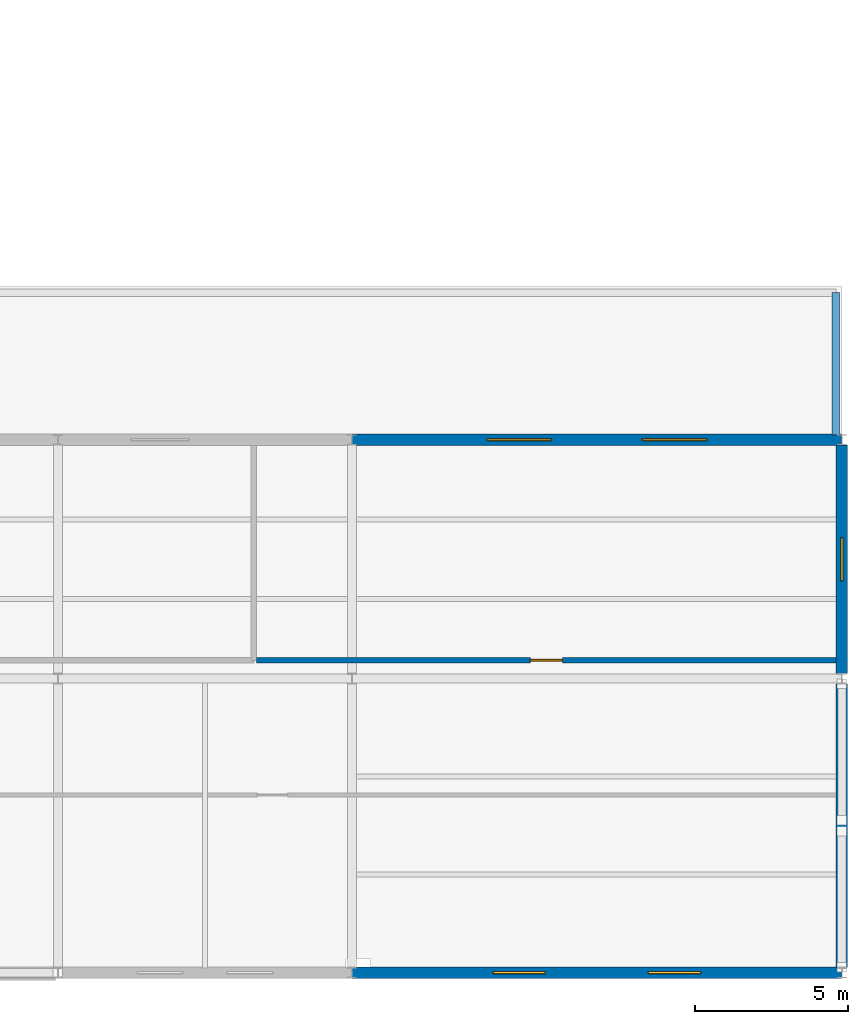
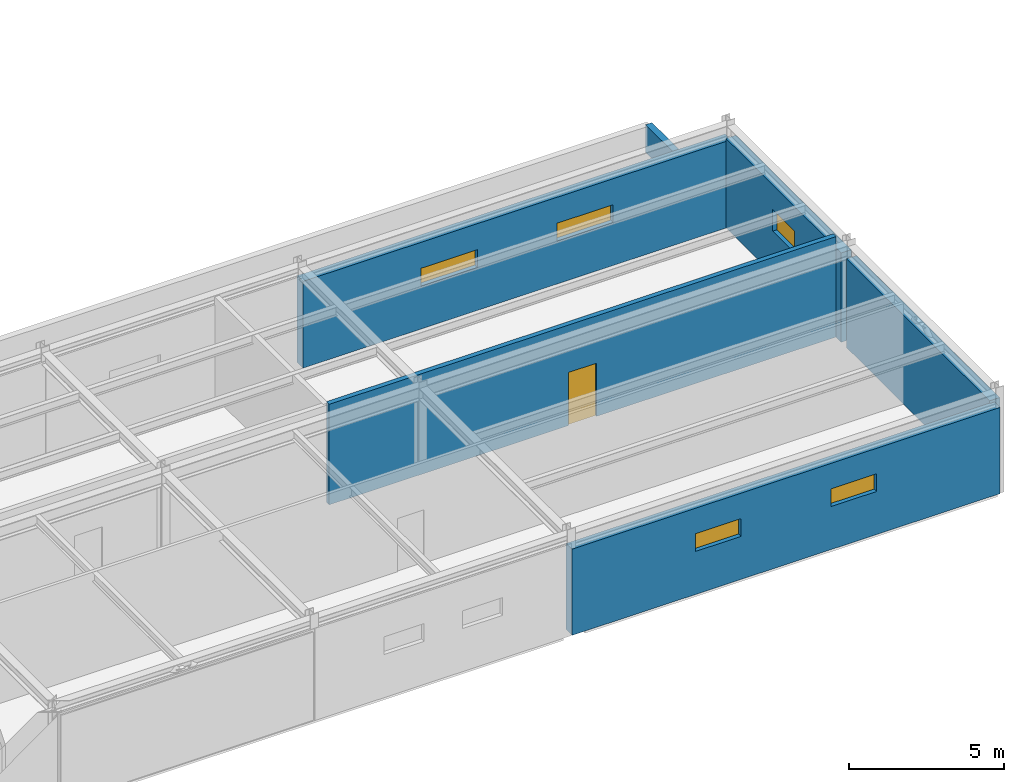
# One storey, part 78 of 88: 6 walls, 5 windows, 1 door, 6 openings.
"""IFC4 building model written with IfcOpenShell, lengths in metres."""

from ifc_helpers import new_model, si_unit, direction, frame, frame_2d, origin, place, context, subcontext, project, spatial, rectangle, extrude, material, layer, layer_set, type_object, element, fill, save


model = new_model("IFC4")

# Units and contexts
model_context = context("Model", 3, precision=1e-05, world=origin(), true_north=direction((0.0, 1.0)))
body_context = subcontext(model_context, "Body", "Model", "MODEL_VIEW")
ifc_project = project(units=[si_unit("LENGTHUNIT", "METRE"), si_unit("AREAUNIT", "SQUARE_METRE"), si_unit("VOLUMEUNIT", "CUBIC_METRE"), si_unit("PLANEANGLEUNIT", "RADIAN"), si_unit("MASSUNIT", "GRAM", prefix="KILO")], contexts=[model_context])

# Site, building, storey
site_placement = place(None, origin())
site = spatial("IfcSite", under=ifc_project, at=site_placement, CompositionType="ELEMENT")
building_placement = place(site_placement, origin())
building = spatial("IfcBuilding", under=site, at=building_placement, Name="Nordkorset Police Headquarters", CompositionType="ELEMENT")
storey_placement = place(building_placement, frame((0.0, 0.0, 9.449951171875)))
storey = spatial("IfcBuildingStorey", under=building, at=storey_placement, Name="L02", CompositionType="ELEMENT", Elevation=9.449951171875)

# Wall, opening, door
ifc_material_1 = material(Name="Gypsum board", Category="gypsum")
ifc_layer_1 = layer(ifc_material_1, 0.179931640625, Name="Gypsum board")
ifc_layer_set_1 = layer_set([ifc_layer_1], Name="Gypsum board")
wall_type_1 = type_object("IfcWallType", Name="Wall_Comp_180", PredefinedType="PARTITIONING", material=ifc_layer_set_1)
wall_1_placement = place(storey_placement, frame((152.0849609375, 10.199951171875, 0.0), z_axis=(0.0, 0.0, 1.0), x_axis=(1.0, 0.0, 0.0)))
wall_1 = element("IfcWall", 1, at=wall_1_placement, inside=storey, type_object=wall_type_1, Name="Interior Partition Wall Detention Cell 10", PredefinedType="PARTITIONING", context=body_context, shape_type="SweptSolid", body=[
    extrude(rectangle(XDim=18.929931640625, YDim=0.179931640625, at=frame_2d((9.46484375, 0.0))), origin(), (0.0, 0.0, 1.0), 3.969970703125),
])
opening_1_placement = place(wall_1_placement, frame((8.93994140625, 0.0, 0.0)))
opening_1 = element("IfcOpeningElement", 2, at=opening_1_placement, cuts=wall_1, Name="Opening DR-24", PredefinedType="OPENING", context=body_context, shape_type="SweptSolid", body=[
    extrude(rectangle(XDim=1.050048828125, YDim=2.10009765625, at=frame_2d((0.52490234375, 1.050048828125))), frame((0.0, 0.10009765625, 0.0), z_axis=(0.0, -1.0, 0.0), x_axis=(1.0, 0.0, 0.0)), (0.0, 0.0, 1.0), 0.199951171875),
])
ifc_material_2 = material(Name="Steel S355J2", Category="steel")
door_type = type_object("IfcDoorType", Name="Door_CustodyCell_1050x2100", OperationType="NOTDEFINED", PredefinedType="DOOR", material=ifc_material_2)
door_placement = place(opening_1_placement, origin())
door = element("IfcDoor", 3, at=door_placement, inside=storey, type_object=door_type, Name="Interior Door Detention Cell 10", OperationType="SINGLE_SWING_RIGHT", OverallHeight=2.10009765625, OverallWidth=1.050048828125, PredefinedType="DOOR", context=body_context, shape_type="SweptSolid", body=[
    extrude(rectangle(XDim=1.050048828125, YDim=2.10009765625, at=frame_2d((0.52490234375, 1.050048828125))), frame((0.0, 0.02490234375, 0.0), z_axis=(0.0, -1.0, 0.0), x_axis=(1.0, 0.0, 0.0)), (0.0, 0.0, 1.0), 0.050048828125),
])
fill(opening_1, door)

# Wall, openings, windows
ifc_material_3 = material(Name="Precast concrete C40/50", Category="concrete")
ifc_layer_2 = layer(ifc_material_3, 0.3798828125, Name="Precast concrete C40/50")
ifc_layer_set_2 = layer_set([ifc_layer_2], Name="Precast concrete C40/50")
wall_type_2 = type_object("IfcWallType", Name="Wall_ExtCustody_380", PredefinedType="SOLIDWALL", material=ifc_layer_set_2)
wall_2_placement = place(storey_placement, frame((155.2080078125, 0.0, 0.0), z_axis=(0.0, 0.0, 1.0), x_axis=(1.0, 0.0, 0.0)))
wall_2 = element("IfcWall", 4, at=wall_2_placement, inside=storey, type_object=wall_type_2, Name="Exterior Insulated Precast Wall L02 V6S-3", PredefinedType="SOLIDWALL", context=body_context, shape_type="SweptSolid", body=[
    extrude(rectangle(XDim=15.98388671875, YDim=0.3798828125, at=frame_2d((7.991943359375, 0.0))), origin(), (0.0, 0.0, 1.0), 3.405029296875),
])
opening_2_placement = place(wall_2_placement, frame((4.608642578125, 0.0, 1.699951171875)))
opening_2 = element("IfcOpeningElement", 5, at=opening_2_placement, cuts=wall_2, Name="Opening WN-10", PredefinedType="OPENING", context=body_context, shape_type="SweptSolid", body=[
    extrude(rectangle(XDim=1.699951171875, YDim=0.699951171875, at=frame_2d((0.85009765625, 0.35009765625))), frame((0.0, 0.199951171875, 0.0), z_axis=(0.0, -1.0, 0.0), x_axis=(1.0, 0.0, 0.0)), (0.0, 0.0, 1.0), 0.39990234375),
])
opening_3_placement = place(wall_2_placement, frame((9.67529296875, 0.0, 1.699951171875)))
opening_3 = element("IfcOpeningElement", 6, at=opening_3_placement, cuts=wall_2, Name="Opening WN-10", PredefinedType="OPENING", context=body_context, shape_type="SweptSolid", body=[
    extrude(rectangle(XDim=1.699951171875, YDim=0.699951171875, at=frame_2d((0.85009765625, 0.35009765625))), frame((0.0, 0.199951171875, 0.0), z_axis=(0.0, -1.0, 0.0), x_axis=(1.0, 0.0, 0.0)), (0.0, 0.0, 1.0), 0.39990234375),
])
ifc_material_4 = material(Name="Low-iron triple glazing", Category="glass")
window_type_1 = type_object("IfcWindowType", Name="Win_1700x700", PartitioningType="SINGLE_PANEL", PredefinedType="WINDOW", material=ifc_material_4)
window_1_placement = place(opening_2_placement, origin())
window_1 = element("IfcWindow", 7, at=window_1_placement, inside=storey, type_object=window_type_1, Name="Triple-Glazed Exterior Window L02 V6S-3-1", OverallHeight=0.699951171875, OverallWidth=1.699951171875, PartitioningType="SINGLE_PANEL", PredefinedType="WINDOW", context=body_context, shape_type="SweptSolid", body=[
    extrude(rectangle(XDim=1.699951171875, YDim=0.699951171875, at=frame_2d((0.85009765625, 0.35009765625))), frame((0.0, 0.030029296875, 0.0), z_axis=(0.0, -1.0, 0.0), x_axis=(1.0, 0.0, 0.0)), (0.0, 0.0, 1.0), 0.06005859375),
])
fill(opening_2, window_1)
window_2_placement = place(opening_3_placement, origin())
window_2 = element("IfcWindow", 8, at=window_2_placement, inside=storey, type_object=window_type_1, Name="Triple-Glazed Exterior Window L02 V6S-3-2", OverallHeight=0.699951171875, OverallWidth=1.699951171875, PartitioningType="SINGLE_PANEL", PredefinedType="WINDOW", context=body_context, shape_type="SweptSolid", body=[
    extrude(rectangle(XDim=1.699951171875, YDim=0.699951171875, at=frame_2d((0.85009765625, 0.35009765625))), frame((0.0, 0.030029296875, 0.0), z_axis=(0.0, -1.0, 0.0), x_axis=(1.0, 0.0, 0.0)), (0.0, 0.0, 1.0), 0.06005859375),
])
fill(opening_3, window_2)

wall_3_placement = place(storey_placement, frame((155.2080078125, 17.39990234375, 0.0), z_axis=(0.0, 0.0, 1.0), x_axis=(1.0, 0.0, 0.0)))
wall_3 = element("IfcWall", 9, at=wall_3_placement, inside=storey, type_object=wall_type_2, Name="Exterior Insulated Precast Wall L02 V6N-3", PredefinedType="SOLIDWALL", context=body_context, shape_type="SweptSolid", body=[
    extrude(rectangle(XDim=15.98388671875, YDim=0.3798828125, at=frame_2d((7.991943359375, 0.0))), origin(), (0.0, 0.0, 1.0), 3.425048828125),
])
opening_4_placement = place(wall_3_placement, frame((4.40869140625, 0.0, 1.699951171875)))
opening_4 = element("IfcOpeningElement", 10, at=opening_4_placement, cuts=wall_3, Name="Opening WN-05", PredefinedType="OPENING", context=body_context, shape_type="SweptSolid", body=[
    extrude(rectangle(XDim=2.10009765625, YDim=0.699951171875, at=frame_2d((1.050048828125, 0.35009765625))), frame((0.0, 0.199951171875, 0.0), z_axis=(0.0, -1.0, 0.0), x_axis=(1.0, 0.0, 0.0)), (0.0, 0.0, 1.0), 0.39990234375),
])
opening_5_placement = place(wall_3_placement, frame((9.475341796875, 0.0, 1.699951171875)))
opening_5 = element("IfcOpeningElement", 11, at=opening_5_placement, cuts=wall_3, Name="Opening WN-05", PredefinedType="OPENING", context=body_context, shape_type="SweptSolid", body=[
    extrude(rectangle(XDim=2.10009765625, YDim=0.699951171875, at=frame_2d((1.050048828125, 0.35009765625))), frame((0.0, 0.199951171875, 0.0), z_axis=(0.0, -1.0, 0.0), x_axis=(1.0, 0.0, 0.0)), (0.0, 0.0, 1.0), 0.39990234375),
])
ifc_material_5 = material(Name="Low-iron triple glazing", Category="glass")
window_type_2 = type_object("IfcWindowType", Name="Win_2100x700", PartitioningType="SINGLE_PANEL", PredefinedType="WINDOW", material=ifc_material_5)
window_3_placement = place(opening_4_placement, origin())
window_3 = element("IfcWindow", 12, at=window_3_placement, inside=storey, type_object=window_type_2, Name="Triple-Glazed Exterior Window L02 V6N-3-1", OverallHeight=0.699951171875, OverallWidth=2.10009765625, PartitioningType="SINGLE_PANEL", PredefinedType="WINDOW", context=body_context, shape_type="SweptSolid", body=[
    extrude(rectangle(XDim=2.10009765625, YDim=0.699951171875, at=frame_2d((1.050048828125, 0.35009765625))), frame((0.0, 0.030029296875, 0.0), z_axis=(0.0, -1.0, 0.0), x_axis=(1.0, 0.0, 0.0)), (0.0, 0.0, 1.0), 0.06005859375),
])
fill(opening_4, window_3)
window_4_placement = place(opening_5_placement, origin())
window_4 = element("IfcWindow", 13, at=window_4_placement, inside=storey, type_object=window_type_2, Name="Triple-Glazed Exterior Window L02 V6N-3-2", OverallHeight=0.699951171875, OverallWidth=2.10009765625, PartitioningType="SINGLE_PANEL", PredefinedType="WINDOW", context=body_context, shape_type="SweptSolid", body=[
    extrude(rectangle(XDim=2.10009765625, YDim=0.699951171875, at=frame_2d((1.050048828125, 0.35009765625))), frame((0.0, 0.030029296875, 0.0), z_axis=(0.0, -1.0, 0.0), x_axis=(1.0, 0.0, 0.0)), (0.0, 0.0, 1.0), 0.06005859375),
])
fill(opening_5, window_4)

# Wall
wall_4_placement = place(storey_placement, frame((171.199951171875, 0.172119140625, 0.0), z_axis=(0.0, 0.0, 1.0), x_axis=(0.0, 1.0, 0.0)))
element("IfcWall", 14, at=wall_4_placement, inside=storey, type_object=wall_type_2, Name="Exterior Insulated Precast Wall L02 V6E-0A", PredefinedType="SOLIDWALL", context=body_context, shape_type="SweptSolid", body=[
    extrude(rectangle(XDim=9.255859375, YDim=0.3798828125, at=frame_2d((4.6279296875, 0.0))), origin(), (0.0, 0.0, 1.0), 3.505126953125),
])

# Wall, opening, window
wall_5_placement = place(storey_placement, frame((171.199951171875, 9.77197265625, 0.0), z_axis=(0.0, 0.0, 1.0), x_axis=(0.0, 1.0, 0.0)))
wall_5 = element("IfcWall", 15, at=wall_5_placement, inside=storey, type_object=wall_type_2, Name="Exterior Insulated Precast Wall L02 V6E-0B", PredefinedType="SOLIDWALL", context=body_context, shape_type="SweptSolid", body=[
    extrude(rectangle(XDim=7.4560546875, YDim=0.3798828125, at=frame_2d((3.72802734375, 0.0))), origin(), (0.0, 0.0, 1.0), 3.525146484375),
])
opening_6_placement = place(wall_5_placement, frame((3.028076171875, 0.0, 1.699951171875)))
opening_6 = element("IfcOpeningElement", 16, at=opening_6_placement, cuts=wall_5, Name="Opening WN-14", PredefinedType="OPENING", context=body_context, shape_type="SweptSolid", body=[
    extrude(rectangle(XDim=1.39990234375, YDim=0.85009765625, at=frame_2d((0.699951171875, 0.425048828125))), frame((0.0, 0.199951171875, 0.0), z_axis=(0.0, -1.0, 0.0), x_axis=(1.0, 0.0, 0.0)), (0.0, 0.0, 1.0), 0.39990234375),
])
ifc_material_6 = material(Name="Low-iron triple glazing", Category="glass")
window_type_3 = type_object("IfcWindowType", Name="Win_1400x850", PartitioningType="SINGLE_PANEL", PredefinedType="WINDOW", material=ifc_material_6)
window_5_placement = place(opening_6_placement, origin())
window_5 = element("IfcWindow", 17, at=window_5_placement, inside=storey, type_object=window_type_3, Name="Triple-Glazed Exterior Window L02 V6E-0B-1", OverallHeight=0.85009765625, OverallWidth=1.39990234375, PartitioningType="SINGLE_PANEL", PredefinedType="WINDOW", context=body_context, shape_type="SweptSolid", body=[
    extrude(rectangle(XDim=1.39990234375, YDim=0.85009765625, at=frame_2d((0.699951171875, 0.425048828125))), frame((0.0, 0.030029296875, 0.0), z_axis=(0.0, -1.0, 0.0), x_axis=(1.0, 0.0, 0.0)), (0.0, 0.0, 1.0), 0.06005859375),
])
fill(opening_6, window_5)

# Wall
ifc_material_7 = material(Name="Precast concrete C40/50", Category="concrete")
ifc_layer_3 = layer(ifc_material_7, 0.239990234375, Name="Precast concrete C40/50")
ifc_layer_set_3 = layer_set([ifc_layer_3], Name="Precast concrete C40/50")
wall_type_3 = type_object("IfcWallType", Name="Wall_Parapet_240", PredefinedType="PARAPET", material=ifc_layer_set_3)
wall_6_placement = place(storey_placement, frame((171.0, 17.550048828125, 0.0), z_axis=(0.0, 0.0, 1.0), x_axis=(0.0, 1.0, 0.0)))
element("IfcWall", 18, at=wall_6_placement, inside=storey, type_object=wall_type_3, Name="Flat Roof Parapet Wall V6SET-L02-2", PredefinedType="PARAPET", context=body_context, shape_type="SweptSolid", body=[
    extrude(rectangle(XDim=4.64990234375, YDim=0.239990234375, at=frame_2d((2.324951171875, 0.0))), origin(), (0.0, 0.0, 1.0), 1.10009765625),
])

save(model, "model.ifc")
